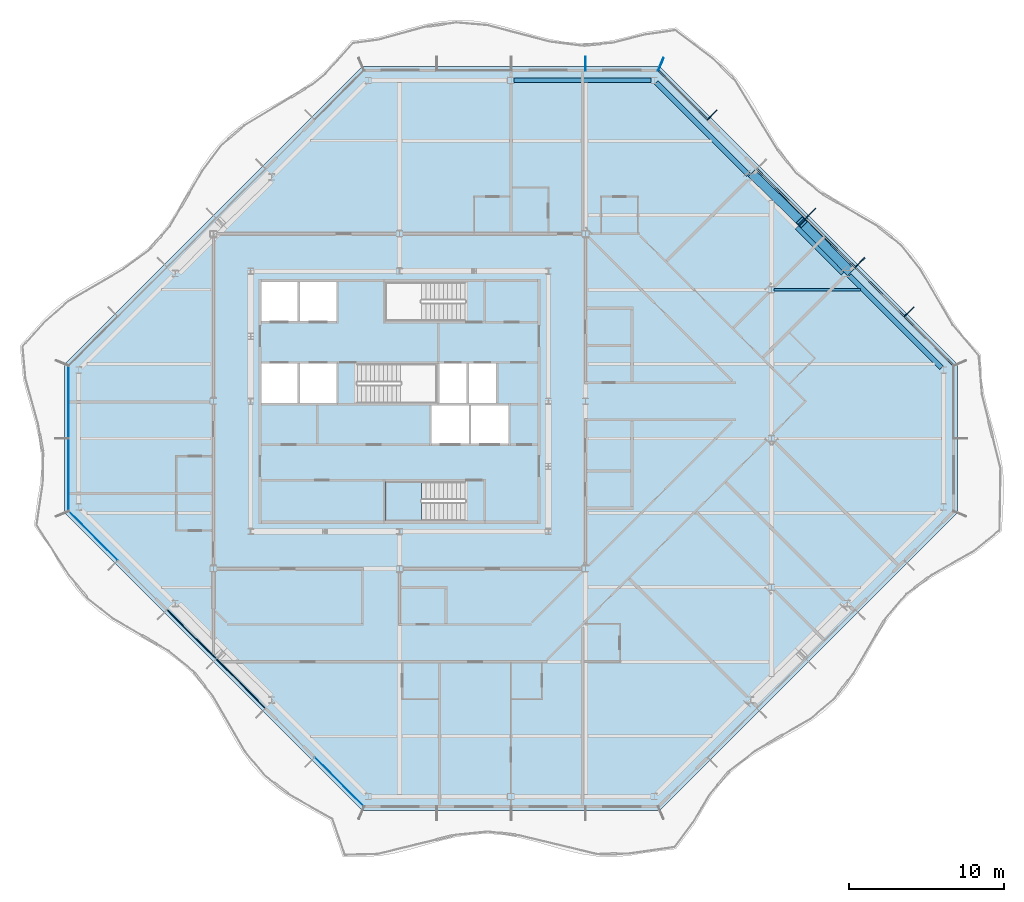
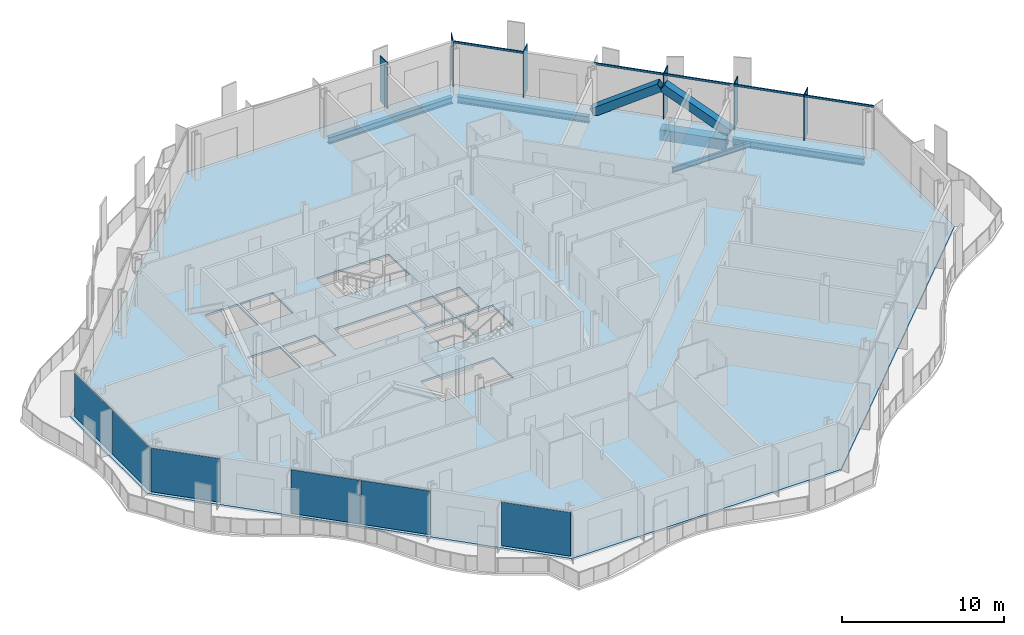
# One storey, part 5 of 17: 13 members, 6 plates, 5 beams, 2 slabs, 5 elements without a shape of their own.
"""IFC4 building model written with IfcOpenShell, lengths in metres."""

import ifcopenshell
import ifcopenshell.guid

model = None  # the IFC model being written
_history = None  # IfcOwnerHistory: only IFC2X3 demands one
_inside = {}  # id of a spatial element -> (the spatial element, [elements in it])
_under = {}  # id of a project, library or spatial element -> (it, [spatial elements below it])
_declared = {}  # id of a project -> (the project, [libraries it declares])
_typed = {}  # id of a type object -> (the type object, [elements of that type])
_made_of = {}  # id of a material, layer set ... -> (it, [elements and type objects made of it])


def new_model(schema):
    """Start an empty IFC model of exactly this schema.

    Asked for "IFC4X3", IfcOpenShell would pick the latest addendum, in which some entities
    have other attributes; the version numbers below select the first issue.
    IFC2X3 requires an IfcOwnerHistory on every rooted entity: one is made here for all.
    """
    global model, _history
    if schema == "IFC4X3":
        model = ifcopenshell.file(schema_version=(4, 3, 0, 0))
    else:
        model = ifcopenshell.file(schema=schema)
    _inside.clear()
    _under.clear()
    _declared.clear()
    _typed.clear()
    _made_of.clear()
    _history = None
    if model.schema == "IFC2X3":
        org = make("IfcOrganization", Name="unknown")
        user = make(
            "IfcPersonAndOrganization",
            ThePerson=make("IfcPerson", FamilyName="unknown"),
            TheOrganization=org,
        )
        app = make(
            "IfcApplication",
            ApplicationDeveloper=org,
            Version="unknown",
            ApplicationFullName="unknown",
            ApplicationIdentifier="unknown",
        )
        _history = make(
            "IfcOwnerHistory",
            OwningUser=user,
            OwningApplication=app,
            ChangeAction="ADDED",
            CreationDate=0,
        )
    return model


def make(cls, **values):
    """One entity of the class cls with the attributes given. An attribute that is None is left unset."""
    return model.create_entity(
        cls, **{name: value for name, value in values.items() if value is not None}
    )


def rooted(cls, **values):
    """An entity with a GlobalId (a new one), such as an element, a storey or a relation."""
    return make(cls, GlobalId=ifcopenshell.guid.new(), OwnerHistory=_history, **values)


def si_unit(unit_type, name, prefix=None):
    """IfcSIUnit, for example si_unit("LENGTHUNIT", "METRE", prefix="MILLI")."""
    return make("IfcSIUnit", UnitType=unit_type, Prefix=prefix, Name=name)


def assignment(units):
    """IfcUnitAssignment: the units of a project."""
    return None if units is None else make("IfcUnitAssignment", Units=units)


def point(xyz):
    """IfcCartesianPoint."""
    return None if xyz is None else make("IfcCartesianPoint", Coordinates=xyz)


def direction(xyz):
    """IfcDirection."""
    return None if xyz is None else make("IfcDirection", DirectionRatios=xyz)


def frame(location, z_axis=None, x_axis=None):
    """IfcAxis2Placement3D, a coordinate frame: its origin and axes. An axis left out is left unset."""
    return make(
        "IfcAxis2Placement3D",
        Location=point(location),
        Axis=direction(z_axis),
        RefDirection=direction(x_axis),
    )


def frame_2d(location, x_axis=None):
    """IfcAxis2Placement2D, a coordinate frame in the plane: its origin and x axis."""
    return make(
        "IfcAxis2Placement2D", Location=point(location), RefDirection=direction(x_axis)
    )


def origin():
    """The frame at (0, 0, 0) with its axes left unset."""
    return frame((0.0, 0.0, 0.0))


def origin_2d():
    """The frame at (0, 0) in the plane with its x axis left unset."""
    return frame_2d((0.0, 0.0))


def place(relative_to, where):
    """IfcLocalPlacement: puts the frame where relative to a parent placement (None: the world)."""
    return make(
        "IfcLocalPlacement", PlacementRelTo=relative_to, RelativePlacement=where
    )


def context(
    kind, dimensions, precision=None, world=None, true_north=None, identifier=None
):
    """IfcGeometricRepresentationContext, for example the 3D "Model" context."""
    return make(
        "IfcGeometricRepresentationContext",
        ContextIdentifier=identifier,
        ContextType=kind,
        CoordinateSpaceDimension=dimensions,
        Precision=precision,
        WorldCoordinateSystem=world,
        TrueNorth=true_north,
    )


def subcontext(parent, identifier, kind, view, scale=None):
    """IfcGeometricRepresentationSubContext, for example "Body" below "Model"."""
    return make(
        "IfcGeometricRepresentationSubContext",
        ContextIdentifier=identifier,
        ContextType=kind,
        ParentContext=parent,
        TargetScale=scale,
        TargetView=view,
    )


def project(units=None, contexts=None):
    """IfcProject with its units and contexts."""
    return rooted(
        "IfcProject",
        Name="project",
        RepresentationContexts=contexts,
        UnitsInContext=assignment(units),
    )


def spatial(cls, under=None, at=None, **own):
    """A site, building, storey or space (cls), placed at a placement, below another one or the project."""
    s = rooted(cls, ObjectPlacement=at, **own)
    if under is not None:
        _under.setdefault(under.id(), (under, []))[1].append(s)
    return s


def polyline(points):
    """IfcPolyline through the points."""
    return make("IfcPolyline", Points=[point(p) for p in points])


def profile(cls, at=None, kind="AREA", **sizes):
    """A parametric profile (cls). Its sizes go by their IFC names, for example OverallWidth=200.0."""
    return make(cls, ProfileType=kind, Position=at, **sizes)


def rectangle(**sizes):
    """IfcRectangleProfileDef."""
    return profile("IfcRectangleProfileDef", **sizes)


def hollow_rectangle(**sizes):
    """IfcRectangleHollowProfileDef."""
    return profile("IfcRectangleHollowProfileDef", **sizes)


def i_section(**sizes):
    """IfcIShapeProfileDef."""
    return profile("IfcIShapeProfileDef", **sizes)


def outline(outer, holes=None, kind="AREA"):
    """IfcArbitraryClosedProfileDef: a profile drawn as a closed curve; with holes, ...WithVoids."""
    if holes is None:
        return make("IfcArbitraryClosedProfileDef", ProfileType=kind, OuterCurve=outer)
    return make(
        "IfcArbitraryProfileDefWithVoids",
        ProfileType=kind,
        OuterCurve=outer,
        InnerCurves=holes,
    )


def extrude(swept, where, along, depth):
    """IfcExtrudedAreaSolid: the profile swept, set in the frame where, extruded along a direction by depth."""
    return make(
        "IfcExtrudedAreaSolid",
        SweptArea=swept,
        Position=where,
        ExtrudedDirection=direction(along),
        Depth=depth,
    )


def shape(context_of_items, identifier, shape_type, items):
    """IfcShapeRepresentation: the items that make up one representation, for example the "Body"."""
    return make(
        "IfcShapeRepresentation",
        ContextOfItems=context_of_items,
        RepresentationIdentifier=identifier,
        RepresentationType=shape_type,
        Items=items,
    )


def material(Name=None, Category=None):
    """IfcMaterial."""
    return make("IfcMaterial", Name=Name, Category=Category)


def layer(
    of_material, thickness, ventilated=None, Name=None, Category=None, Priority=None
):
    """IfcMaterialLayer: one layer of a wall or slab, of a material (None: an air gap)."""
    return make(
        "IfcMaterialLayer",
        Material=of_material,
        LayerThickness=thickness,
        IsVentilated=ventilated,
        Name=Name,
        Category=Category,
        Priority=Priority,
    )


def layer_set(layers, Name=None):
    """IfcMaterialLayerSet."""
    return make("IfcMaterialLayerSet", MaterialLayers=layers, LayerSetName=Name)


def material_profile(
    of_material, cross_section, Name=None, Category=None, Priority=None
):
    """IfcMaterialProfile: a cross section and its material."""
    return make(
        "IfcMaterialProfile",
        Name=Name,
        Material=of_material,
        Profile=cross_section,
        Priority=Priority,
        Category=Category,
    )


def profile_set(profiles, Name=None, composite=None):
    """IfcMaterialProfileSet."""
    return make(
        "IfcMaterialProfileSet",
        Name=Name,
        MaterialProfiles=profiles,
        CompositeProfile=composite,
    )


def made_of(thing, what):
    """Note that an element or type object is made of a material, layer set ...; save() writes the relation."""
    if what is not None:
        _made_of.setdefault(what.id(), (what, []))[1].append(thing)
    return thing


def type_object(cls, material=None, **own):
    """A type object (cls), such as IfcWallType, which elements share."""
    return made_of(rooted(cls, **own), material)


def element(
    cls,
    number,
    at=None,
    inside=None,
    cuts=None,
    type_object=None,
    material=None,
    context=None,
    identifier="Body",
    shape_type=None,
    held_by="IfcProductDefinitionShape",
    body=None,
    shapes=None,
    **own,
):
    """One element of the class cls, such as IfcWall. Its Tag is "e" and its number.

    at: its placement. inside: the storey or other place that contains it. cuts: it is an
    opening in that element (IfcRelVoidsElement). A single representation is given by context,
    identifier, shape_type and body (its items); several are given by shapes. held_by: the class
    of the entity that holds the representations. save() writes the other relations.
    """
    e = rooted(cls, Tag="e%d" % number, ObjectPlacement=at, **own)
    if body is not None:
        shapes = [shape(context, identifier, shape_type, body)]
    if shapes is not None:
        e.Representation = make(held_by, Representations=shapes)
    if inside is not None:
        _inside.setdefault(inside.id(), (inside, []))[1].append(e)
    if cuts is not None:
        rooted(
            "IfcRelVoidsElement", RelatingBuildingElement=cuts, RelatedOpeningElement=e
        )
    if type_object is not None:
        _typed.setdefault(type_object.id(), (type_object, []))[1].append(e)
    return made_of(e, material)


def aggregate(whole, parts):
    """IfcRelAggregates: a whole, such as a stair, and the parts it consists of."""
    return rooted("IfcRelAggregates", RelatingObject=whole, RelatedObjects=parts)


def save(model, path):
    """Write the relations noted so far, then the file.

    IfcRelAggregates (storeys below a building ...), IfcRelContainedInSpatialStructure (elements
    in a storey), IfcRelDefinesByType, IfcRelAssociatesMaterial and IfcRelDeclares: one each for
    every whole, place, type object, material and project.
    """
    for whole, parts in _under.values():
        aggregate(whole, parts)
    for where, things in _inside.values():
        rooted(
            "IfcRelContainedInSpatialStructure",
            RelatedElements=things,
            RelatingStructure=where,
        )
    for kind, things in _typed.values():
        rooted("IfcRelDefinesByType", RelatedObjects=things, RelatingType=kind)
    for what, things in _made_of.values():
        rooted("IfcRelAssociatesMaterial", RelatedObjects=things, RelatingMaterial=what)
    for by, libraries in _declared.values():
        rooted("IfcRelDeclares", RelatingContext=by, RelatedDefinitions=libraries)
    model.write(path)


model = new_model("IFC4")

# Units and contexts
model_context = context("Model", 3, precision=1e-05, world=origin(), true_north=direction((0.0, 1.0)))
body_context = subcontext(model_context, "Body", "Model", "MODEL_VIEW")
ifc_project = project(units=[si_unit("LENGTHUNIT", "METRE"), si_unit("AREAUNIT", "SQUARE_METRE"), si_unit("VOLUMEUNIT", "CUBIC_METRE"), si_unit("PLANEANGLEUNIT", "RADIAN"), si_unit("MASSUNIT", "GRAM", prefix="KILO")], contexts=[model_context])

# Site, building, storey
site_placement = place(None, origin())
site = spatial("IfcSite", under=ifc_project, at=site_placement, CompositionType="ELEMENT")
building_placement = place(site_placement, origin())
building = spatial("IfcBuilding", under=site, at=building_placement, Name="Cairn Pilgrim Tower", CompositionType="ELEMENT")
storey_placement = place(building_placement, frame((0.0, 0.0, 228.60009765625)))
storey = spatial("IfcBuildingStorey", under=building, at=storey_placement, Name="L58", CompositionType="ELEMENT", Elevation=228.60009765625)

# Members
ifc_material_1 = material(Name="Structural steel S460M", Category="steel")
ifc_material_profile_1 = material_profile(ifc_material_1, hollow_rectangle(XDim=0.60009765625, YDim=0.60009765625, WallThickness=0.034912109375, at=origin_2d()), Name="BOX 600x600x35")
ifc_profile_set_1 = profile_set([ifc_material_profile_1], Name="Structural steel S460M")
member_type_1 = type_object("IfcMemberType", Name="BOX 600x600x35 BRACE", PredefinedType="BRACE", material=ifc_profile_set_1)
for number, where, z_axis, x_axis, name in (
    (1, (36.201416015625, 10.823974609375, 0.14990234375), (-0.59476326853, 0.609993709431, 0.523607036681), (-0.715988756584, -0.698111810848, 0.0), "XB-NE2-NE3-1"),
    (2, (30.02392578125, 17.00146484375, 0.14990234375), (0.609993709431, -0.59476326853, 0.523607036681), (0.698111810848, 0.715988756584, 0.0), "XB-NE2-NE3-2"),
):
    element("IfcMember", number, at=place(storey_placement, frame(where, z_axis=z_axis, x_axis=x_axis)), inside=storey, type_object=member_type_1, Name=name, PredefinedType="BRACE", context=body_context, shape_type="SweptSolid", body=[
        extrude(hollow_rectangle(XDim=0.60009765625, YDim=0.60009765625, WallThickness=0.034912109375, at=origin_2d()), origin(), (0.0, 0.0, 1.0), 5.033447265625),
    ])

# Beam
ifc_material_2 = material(Name="Structural steel S355J2", Category="steel")
ifc_material_profile_2 = material_profile(ifc_material_2, hollow_rectangle(XDim=0.699951171875, YDim=0.800048828125, WallThickness=0.0400390625, at=origin_2d()), Name="BOX 700x800x40")
ifc_profile_set_2 = profile_set([ifc_material_profile_2], Name="Structural steel S355J2")
beam_type_1 = type_object("IfcBeamType", Name="BOX 700x800x40 RING GIRDER", PredefinedType="SPANDREL", material=ifc_profile_set_2)
beam_1_placement = place(storey_placement, frame((35.943359375, 10.78369140625, -0.550048828125), z_axis=(-0.707077813866, 0.707135747321, 0.0), x_axis=(-0.707135747321, -0.707077813866, 0.0)))
element("IfcBeam", 3, at=beam_1_placement, inside=storey, type_object=beam_type_1, Name="RG3-NE2-NE3-1", PredefinedType="SPANDREL", context=body_context, shape_type="SweptSolid", body=[
    extrude(hollow_rectangle(XDim=0.699951171875, YDim=0.800048828125, WallThickness=0.0400390625, at=origin_2d()), origin(), (0.0, 0.0, 1.0), 4.214111328125),
])

# Curtain wall, members
ifc_material_3 = material(Name="Aluminium alloy 6063-T6 bronze anodised with Bronze tinted laminated low-E glass 8+16+8.8", Category="aluminium")
curtain_wall_type_1 = type_object("IfcCurtainWallType", Name="CHAMFER CORNER CURTAIN WALL", PredefinedType="NOTDEFINED", material=ifc_material_3)
curtain_wall_1_placement = place(storey_placement, origin())
curtain_wall_1 = element("IfcCurtainWall", 4, at=curtain_wall_1_placement, inside=storey, type_object=curtain_wall_type_1, Name="Chamfer Corner Curtain Wall NE", PredefinedType="NOTDEFINED")
ifc_material_4 = material(Name="Aluminium alloy 6063-T6 bronze anodised", Category="aluminium")
ifc_material_profile_3 = material_profile(ifc_material_4, rectangle(XDim=0.89990234375, YDim=0.06005859375, at=origin_2d()), Name="FIN MULLION 60x900 BRONZE")
ifc_profile_set_3 = profile_set([ifc_material_profile_3], Name="Aluminium alloy 6063-T6 bronze anodised")
member_type_2 = type_object("IfcMemberType", Name="FIN MULLION 60x900 BRONZE", PredefinedType="MULLION", material=ifc_profile_set_3)
member_1_placement = place(storey_placement, frame((40.0712890625, 8.1689453125, 0.0), z_axis=(0.0, 0.0, 1.0), x_axis=(0.707106781187, 0.707106781187, 0.0)))
member_1 = element("IfcMember", 5, at=member_1_placement, type_object=member_type_2, Name="Fin mullion NE2", PredefinedType="MULLION", context=body_context, shape_type="SweptSolid", body=[
    extrude(rectangle(XDim=0.89990234375, YDim=0.06005859375, at=origin_2d()), origin(), (0.0, 0.0, 1.0), 3.449951171875),
])
member_2_placement = place(storey_placement, frame((36.895751953125, 11.3447265625, 0.0), z_axis=(0.0, 0.0, 1.0), x_axis=(0.707106781187, 0.707106781187, 0.0)))
member_2 = element("IfcMember", 6, at=member_2_placement, type_object=member_type_2, Name="Fin mullion NE3", PredefinedType="MULLION", context=body_context, shape_type="SweptSolid", body=[
    extrude(rectangle(XDim=0.89990234375, YDim=0.06005859375, at=origin_2d()), origin(), (0.0, 0.0, 1.0), 3.449951171875),
])
member_3_placement = place(storey_placement, frame((33.72021484375, 14.520263671875, 0.0), z_axis=(0.0, 0.0, 1.0), x_axis=(0.707106781187, 0.707106781187, 0.0)))
member_3 = element("IfcMember", 7, at=member_3_placement, type_object=member_type_2, Name="Fin mullion NE4", PredefinedType="MULLION", context=body_context, shape_type="SweptSolid", body=[
    extrude(rectangle(XDim=0.89990234375, YDim=0.06005859375, at=origin_2d()), origin(), (0.0, 0.0, 1.0), 3.449951171875),
])
member_4_placement = place(storey_placement, frame((27.369140625, 20.871337890625, 0.0), z_axis=(0.0, 0.0, 1.0), x_axis=(0.707106781187, 0.707106781187, 0.0)))
member_4 = element("IfcMember", 8, at=member_4_placement, type_object=member_type_2, Name="Fin mullion NE6", PredefinedType="MULLION", context=body_context, shape_type="SweptSolid", body=[
    extrude(rectangle(XDim=0.89990234375, YDim=0.06005859375, at=origin_2d()), origin(), (0.0, 0.0, 1.0), 3.449951171875),
])

curtain_wall_type_2 = type_object("IfcCurtainWallType", Name="TOWER STICK CURTAIN WALL NS", PredefinedType="NOTDEFINED", material=ifc_material_3)
curtain_wall_2_placement = place(storey_placement, origin())
curtain_wall_2 = element("IfcCurtainWall", 9, at=curtain_wall_2_placement, inside=storey, type_object=curtain_wall_type_2, Name="Tower Stick Curtain Wall Ns N", PredefinedType="NOTDEFINED")
member_5_placement = place(storey_placement, frame((24.05712890625, 24.137939453125, 0.0), z_axis=(0.0, 0.0, 1.0), x_axis=(0.382683432365, 0.923879532511, 0.0)))
member_5 = element("IfcMember", 10, at=member_5_placement, type_object=member_type_2, Name="Fin mullion N1", PredefinedType="MULLION", context=body_context, shape_type="SweptSolid", body=[
    extrude(rectangle(XDim=0.89990234375, YDim=0.06005859375, at=origin_2d()), origin(), (0.0, 0.0, 1.0), 3.449951171875),
])
member_6_placement = place(storey_placement, frame((19.199951171875, 24.169921875, 0.0), z_axis=(0.0, 0.0, 1.0), x_axis=(0.0, 1.0, 0.0)))
member_6 = element("IfcMember", 11, at=member_6_placement, type_object=member_type_2, Name="Fin mullion N2", PredefinedType="MULLION", context=body_context, shape_type="SweptSolid", body=[
    extrude(rectangle(XDim=0.89990234375, YDim=0.06005859375, at=origin_2d()), origin(), (0.0, 0.0, 1.0), 3.449951171875),
])
aggregate(curtain_wall_2, [member_5, member_6])

# Beams
ifc_material_profile_4 = material_profile(ifc_material_2, i_section(OverallWidth=0.300048828125, OverallDepth=0.5, WebThickness=0.014404296875, FlangeThickness=0.028076171875, FilletRadius=0.027099609375, at=origin_2d()), Name="HEB 500")
ifc_profile_set_4 = profile_set([ifc_material_profile_4], Name="Structural steel S355J2")
beam_type_2 = type_object("IfcBeamType", Name="HEB 500 RING GIRDER", PredefinedType="SPANDREL", material=ifc_profile_set_4)
for number, where, z_axis, x_axis, name in (
    (12, (42.16748046875, 4.5595703125, -0.400146484375), (-0.707106781187, 0.707106781187, 0.0), (-0.707106781187, -0.707106781187, 0.0), "RG3-NE1-NE2"),
    (13, (29.718994140625, 17.008056640625, -0.400146484375), (-0.707106781187, 0.707106781187, 0.0), (-0.707106781187, -0.707106781187, 0.0), "RG3-NE3-N1"),
):
    element("IfcBeam", number, at=place(storey_placement, frame(where, z_axis=z_axis, x_axis=x_axis)), inside=storey, type_object=beam_type_2, Name=name, PredefinedType="SPANDREL", context=body_context, shape_type="SweptSolid", body=[
        extrude(i_section(OverallWidth=0.300048828125, OverallDepth=0.5, WebThickness=0.014404296875, FlangeThickness=0.028076171875, FilletRadius=0.027099609375, at=origin_2d()), origin(), (0.0, 0.0, 1.0), 8.427978515625),
    ])
beam_2_placement = place(storey_placement, frame((23.43994140625, 23.10009765625, -0.400146484375), z_axis=(-1.0, 0.0, 0.0), x_axis=(0.0, -1.0, 0.0)))
element("IfcBeam", 14, at=beam_2_placement, inside=storey, type_object=beam_type_2, Name="RG3-N1-N2", PredefinedType="SPANDREL", context=body_context, shape_type="SweptSolid", body=[
    extrude(i_section(OverallWidth=0.300048828125, OverallDepth=0.5, WebThickness=0.014404296875, FlangeThickness=0.028076171875, FilletRadius=0.027099609375, at=origin_2d()), origin(), (0.0, 0.0, 1.0), 8.852783203125),
])
ifc_material_profile_5 = material_profile(ifc_material_2, i_section(OverallWidth=0.169921875, OverallDepth=0.360107421875, WebThickness=0.008056640625, FlangeThickness=0.0126953125, FilletRadius=0.01806640625, at=origin_2d()), Name="IPE 360")
ifc_profile_set_5 = profile_set([ifc_material_profile_5], Name="Structural steel S355J2")
beam_type_3 = type_object("IfcBeamType", Name="IPE 360 SECONDARY BEAM", PredefinedType="JOIST", material=ifc_profile_set_5)
beam_3_placement = place(storey_placement, frame((31.35009765625, 9.60009765625, -0.330078125), z_axis=(1.0, 0.0, 0.0), x_axis=(0.0, 1.0, 0.0)))
element("IfcBeam", 15, at=beam_3_placement, inside=storey, type_object=beam_type_3, Name="SB7-3", PredefinedType="JOIST", context=body_context, shape_type="SweptSolid", body=[
    extrude(i_section(OverallWidth=0.169921875, OverallDepth=0.360107421875, WebThickness=0.008056640625, FlangeThickness=0.0126953125, FilletRadius=0.01806640625, at=origin_2d()), origin(), (0.0, 0.0, 1.0), 5.594970703125),
])

# Member
ifc_material_profile_6 = material_profile(ifc_material_4, rectangle(XDim=0.080078125, YDim=0.14990234375, at=origin_2d()), Name="TRANSOM 80x150 BRONZE")
ifc_profile_set_6 = profile_set([ifc_material_profile_6], Name="Aluminium alloy 6063-T6 bronze anodised")
member_type_3 = type_object("IfcMemberType", Name="TRANSOM 80x150 BRONZE", PredefinedType="USERDEFINED", material=ifc_profile_set_6)
member_7_placement = place(storey_placement, frame((42.921630859375, 4.724609375, 3.375), z_axis=(-0.707079168996, 0.707134392299, 0.0), x_axis=(-0.707134392299, -0.707079168996, 0.0)))
member_7 = element("IfcMember", 16, at=member_7_placement, type_object=member_type_3, Name="Transom NE1", ObjectType="TRANSOM", PredefinedType="USERDEFINED", context=body_context, shape_type="SweptSolid", body=[
    extrude(rectangle(XDim=0.080078125, YDim=0.14990234375, at=origin_2d()), origin(), (0.0, 0.0, 1.0), 4.4208984375),
])

member_8_placement = place(storey_placement, frame((39.753173828125, 7.893310546875, 3.375), z_axis=(-0.707106781187, 0.707106781187, 0.0), x_axis=(-0.707106781187, -0.707106781187, 0.0)))
member_8 = element("IfcMember", 17, at=member_8_placement, type_object=member_type_3, Name="Transom NE2", ObjectType="TRANSOM", PredefinedType="USERDEFINED", context=body_context, shape_type="SweptSolid", body=[
    extrude(rectangle(XDim=0.080078125, YDim=0.14990234375, at=origin_2d()), origin(), (0.0, 0.0, 1.0), 4.430908203125),
])

member_9_placement = place(storey_placement, frame((36.57763671875, 11.06884765625, 3.375), z_axis=(-0.707134329907, 0.707079231393, 0.0), x_axis=(-0.707079231393, -0.707134329907, 0.0)))
member_9 = element("IfcMember", 18, at=member_9_placement, type_object=member_type_3, Name="Transom NE3", ObjectType="TRANSOM", PredefinedType="USERDEFINED", context=body_context, shape_type="SweptSolid", body=[
    extrude(rectangle(XDim=0.080078125, YDim=0.14990234375, at=origin_2d()), origin(), (0.0, 0.0, 1.0), 4.430908203125),
])

member_10_placement = place(storey_placement, frame((33.402099609375, 14.244384765625, 3.375), z_axis=(-0.707106781187, 0.707106781187, 0.0), x_axis=(-0.707106781187, -0.707106781187, 0.0)))
member_10 = element("IfcMember", 19, at=member_10_placement, type_object=member_type_3, Name="Transom NE4", ObjectType="TRANSOM", PredefinedType="USERDEFINED", context=body_context, shape_type="SweptSolid", body=[
    extrude(rectangle(XDim=0.080078125, YDim=0.14990234375, at=origin_2d()), origin(), (0.0, 0.0, 1.0), 4.43115234375),
])

member_11_placement = place(storey_placement, frame((27.05078125, 20.595703125, 3.375), z_axis=(-0.707106781187, 0.707106781187, 0.0), x_axis=(-0.707106781187, -0.707106781187, 0.0)))
member_11 = element("IfcMember", 20, at=member_11_placement, type_object=member_type_3, Name="Transom NE6", ObjectType="TRANSOM", PredefinedType="USERDEFINED", context=body_context, shape_type="SweptSolid", body=[
    extrude(rectangle(XDim=0.080078125, YDim=0.14990234375, at=origin_2d()), origin(), (0.0, 0.0, 1.0), 4.4208984375),
])

aggregate(curtain_wall_1, [member_1, member_2, member_3, member_4, member_7, member_8, member_9, member_10, member_11])

# Slab
ifc_material_5 = material(Name="Concrete C35/45", Category="concrete")
ifc_layer_1 = layer(ifc_material_5, 0.14990234375)
ifc_layer_set_1 = layer_set([ifc_layer_1], Name="COMPOSITE FLOOR SLAB 150")
slab_type_1 = type_object("IfcSlabType", Name="COMPOSITE FLOOR SLAB 150", PredefinedType="FLOOR", material=ifc_layer_set_1)
slab_1_placement = place(storey_placement, frame((0.0, 0.0, -0.150146484375)))
element("IfcSlab", 21, at=slab_1_placement, inside=storey, type_object=slab_type_1, Name="FLOOR SLAB L58", PredefinedType="FLOOR", context=body_context, shape_type="SweptSolid", body=[
    extrude(outline(polyline([(4.800048828125, -24.0), (24.0, -24.0), (43.199951171875, -4.800048828125), (43.199951171875, 4.800048828125), (24.0, 24.0), (4.800048828125, 24.0), (-14.39990234375, 4.800048828125), (-14.39990234375, -4.800048828125), (4.800048828125, -24.0)]), holes=[polyline([(9.27490234375, -0.324951171875), (11.675048828125, -0.324951171875), (11.675048828125, 2.125), (9.27490234375, 2.125), (9.27490234375, -0.324951171875)]), polyline([(11.824951171875, -0.324951171875), (14.22509765625, -0.324951171875), (14.22509765625, 2.125), (11.824951171875, 2.125), (11.824951171875, -0.324951171875)]), polyline([(-1.72509765625, 2.27490234375), (0.625, 2.27490234375), (0.625, 4.824951171875), (-1.72509765625, 4.824951171875), (-1.72509765625, 2.27490234375)]), polyline([(0.77490234375, 2.27490234375), (3.125, 2.27490234375), (3.125, 4.824951171875), (0.77490234375, 4.824951171875), (0.77490234375, 2.27490234375)]), polyline([(-1.72509765625, 7.574951171875), (0.625, 7.574951171875), (0.625, 10.10009765625), (-1.72509765625, 10.10009765625), (-1.72509765625, 7.574951171875)]), polyline([(0.77490234375, 7.574951171875), (3.125, 7.574951171875), (3.125, 10.10009765625), (0.77490234375, 10.10009765625), (0.77490234375, 7.574951171875)]), polyline([(9.77490234375, 2.27490234375), (11.52490234375, 2.27490234375), (11.52490234375, 4.824951171875), (9.77490234375, 4.824951171875), (9.77490234375, 2.27490234375)]), polyline([(11.675048828125, 2.27490234375), (13.425048828125, 2.27490234375), (13.425048828125, 4.824951171875), (11.675048828125, 4.824951171875), (11.675048828125, 2.27490234375)]), polyline([(11.424560546875, -2.77490234375), (6.27490234375, -2.77490234375), (6.27490234375, -5.300048828125), (11.424560546875, -5.300048828125), (11.424560546875, -2.77490234375)]), polyline([(4.4755859375, 2.27490234375), (9.625, 2.27490234375), (9.625, 4.824951171875), (4.4755859375, 4.824951171875), (4.4755859375, 2.27490234375)]), polyline([(11.424560546875, 10.10009765625), (6.27490234375, 10.10009765625), (6.27490234375, 7.574951171875), (11.424560546875, 7.574951171875), (11.424560546875, 10.10009765625)])]), origin(), (0.0, 0.0, 1.0), 0.150146484375),
])

# Curtain wall, plates
curtain_wall_3_placement = place(storey_placement, origin())
curtain_wall_3 = element("IfcCurtainWall", 22, at=curtain_wall_3_placement, inside=storey, type_object=curtain_wall_type_1, Name="Chamfer Corner Curtain Wall SW", PredefinedType="NOTDEFINED")
ifc_material_6 = material(Name="Bronze anodised aluminium spandrel panel with mineral wool insulation", Category="aluminium")
ifc_layer_2 = layer(ifc_material_6, 0.06005859375)
ifc_layer_set_2 = layer_set([ifc_layer_2], Name="SPANDREL PANEL 4431x3300")
plate_type_1 = type_object("IfcPlateType", Name="SPANDREL PANEL 4431x3300", PredefinedType="CURTAIN_PANEL", material=ifc_layer_set_2)
plate_1_placement = place(storey_placement, frame((-6.2109375, -12.635498046875, 0.0), z_axis=(0.0, 0.0, 1.0), x_axis=(0.707106781187, -0.707106781187, 0.0)))
plate_1 = element("IfcPlate", 23, at=plate_1_placement, type_object=plate_type_1, Name="Spandrel Panel SW3-1", PredefinedType="CURTAIN_PANEL", context=body_context, shape_type="SweptSolid", body=[
    extrude(rectangle(XDim=4.430908203125, YDim=0.06005859375, at=origin_2d()), origin(), (0.0, 0.0, 1.0), 3.300048828125),
])
plate_2_placement = place(storey_placement, frame((-3.035400390625, -15.81103515625, 0.0), z_axis=(0.0, 0.0, 1.0), x_axis=(0.707106781187, -0.707106781187, 0.0)))
plate_2 = element("IfcPlate", 24, at=plate_2_placement, type_object=plate_type_1, Name="Spandrel Panel SW4-1", PredefinedType="CURTAIN_PANEL", context=body_context, shape_type="SweptSolid", body=[
    extrude(rectangle(XDim=4.430908203125, YDim=0.06005859375, at=origin_2d()), origin(), (0.0, 0.0, 1.0), 3.300048828125),
])

# Stair, slab
ifc_material_7 = material(Name="Concrete C32/40", Category="concrete")
stair_type = type_object("IfcStairType", Name="EXIT STAIR 1200", PredefinedType="HALF_TURN_STAIR", material=ifc_material_7)
stair_placement = place(storey_placement, origin())
stair = element("IfcStair", 25, at=stair_placement, inside=storey, type_object=stair_type, Name="L58 Exit Stair A", PredefinedType="HALF_TURN_STAIR")
ifc_layer_3 = layer(ifc_material_7, 0.199951171875)
ifc_layer_set_3 = layer_set([ifc_layer_3], Name="STAIR LANDING 200")
slab_type_2 = type_object("IfcSlabType", Name="STAIR LANDING 200", PredefinedType="LANDING", material=ifc_layer_set_3)
slab_2_placement = place(storey_placement, frame((0.0, 0.0, 1.599853515625)))
slab_2 = element("IfcSlab", 26, at=slab_2_placement, type_object=slab_type_2, Name="ST-A landing 1", PredefinedType="LANDING", context=body_context, shape_type="SweptSolid", body=[
    extrude(outline(polyline([(8.625, -2.77490234375), (6.27490234375, -2.77490234375), (6.27490234375, -5.300048828125), (8.625, -5.300048828125), (8.625, -2.77490234375)])), origin(), (0.0, 0.0, 1.0), 0.199951171875),
])
aggregate(stair, [slab_2])

# Plate
ifc_material_8 = material(Name="Bronze tinted laminated low-E glass 8+16+8.8", Category="glass")
ifc_layer_4 = layer(ifc_material_8, 0.033935546875)
ifc_layer_set_4 = layer_set([ifc_layer_4], Name="VISION GLAZING 4421x3300")
plate_type_2 = type_object("IfcPlateType", Name="VISION GLAZING 4421x3300", PredefinedType="CURTAIN_PANEL", material=ifc_layer_set_4)
plate_3_placement = place(storey_placement, frame((-12.55859375, -6.287841796875, 0.0), z_axis=(0.0, 0.0, 1.0), x_axis=(0.707106781187, -0.707106781187, 0.0)))
plate_3 = element("IfcPlate", 27, at=plate_3_placement, type_object=plate_type_2, Name="Vision Glazing SW1-1", PredefinedType="CURTAIN_PANEL", context=body_context, shape_type="SweptSolid", body=[
    extrude(rectangle(XDim=4.4208984375, YDim=0.033935546875, at=origin_2d()), origin(), (0.0, 0.0, 1.0), 3.300048828125),
])

plate_4_placement = place(storey_placement, frame((3.312255859375, -22.15869140625, 0.0), z_axis=(0.0, 0.0, 1.0), x_axis=(0.707106781187, -0.707106781187, 0.0)))
plate_4 = element("IfcPlate", 28, at=plate_4_placement, type_object=plate_type_2, Name="Vision Glazing SW6-1", PredefinedType="CURTAIN_PANEL", context=body_context, shape_type="SweptSolid", body=[
    extrude(rectangle(XDim=4.4208984375, YDim=0.033935546875, at=origin_2d()), origin(), (0.0, 0.0, 1.0), 3.300048828125),
])

aggregate(curtain_wall_3, [plate_3, plate_1, plate_2, plate_4])

# Curtain wall, plates
curtain_wall_type_3 = type_object("IfcCurtainWallType", Name="TOWER STICK CURTAIN WALL EW", PredefinedType="NOTDEFINED", material=ifc_material_3)
curtain_wall_4_placement = place(storey_placement, origin())
curtain_wall_4 = element("IfcCurtainWall", 29, at=curtain_wall_4_placement, inside=storey, type_object=curtain_wall_type_3, Name="Tower Stick Curtain Wall Ew W", PredefinedType="NOTDEFINED")
ifc_layer_5 = layer(ifc_material_8, 0.033935546875)
ifc_layer_set_5 = layer_set([ifc_layer_5], Name="VISION GLAZING 4626x3300")
plate_type_3 = type_object("IfcPlateType", Name="VISION GLAZING 4626x3300", PredefinedType="CURTAIN_PANEL", material=ifc_layer_set_5)
plate_5_placement = place(storey_placement, frame((-14.14990234375, 2.34326171875, 0.0), z_axis=(0.0, 0.0, 1.0), x_axis=(0.0, -1.0, 0.0)))
plate_5 = element("IfcPlate", 30, at=plate_5_placement, type_object=plate_type_3, Name="Vision Glazing W1-1", PredefinedType="CURTAIN_PANEL", context=body_context, shape_type="SweptSolid", body=[
    extrude(rectangle(XDim=4.62646484375, YDim=0.033935546875, at=origin_2d()), origin(), (0.0, 0.0, 1.0), 3.300048828125),
])
plate_6_placement = place(storey_placement, frame((-14.14990234375, -2.34326171875, 0.0), z_axis=(0.0, 0.0, 1.0), x_axis=(0.0, -1.0, 0.0)))
plate_6 = element("IfcPlate", 31, at=plate_6_placement, type_object=plate_type_3, Name="Vision Glazing W2-1", PredefinedType="CURTAIN_PANEL", context=body_context, shape_type="SweptSolid", body=[
    extrude(rectangle(XDim=4.62646484375, YDim=0.033935546875, at=origin_2d()), origin(), (0.0, 0.0, 1.0), 3.300048828125),
])
aggregate(curtain_wall_4, [plate_5, plate_6])

save(model, "model.ifc")
